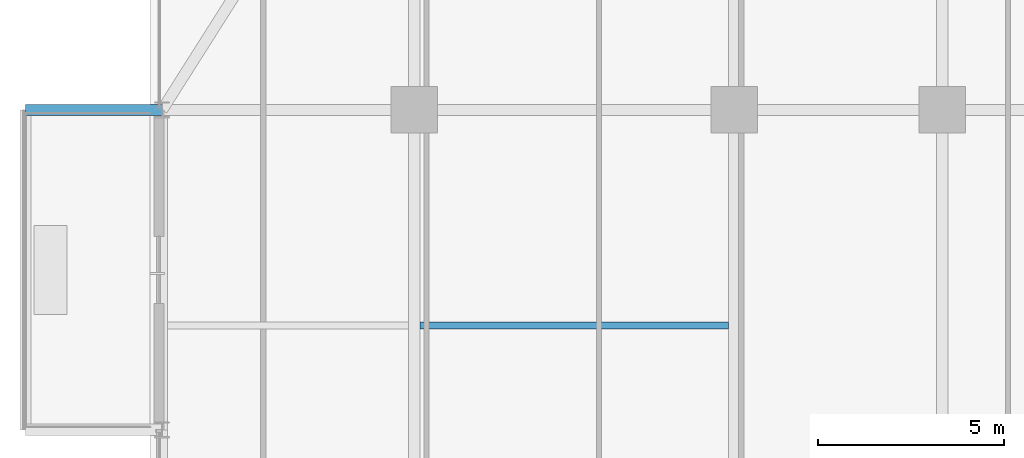
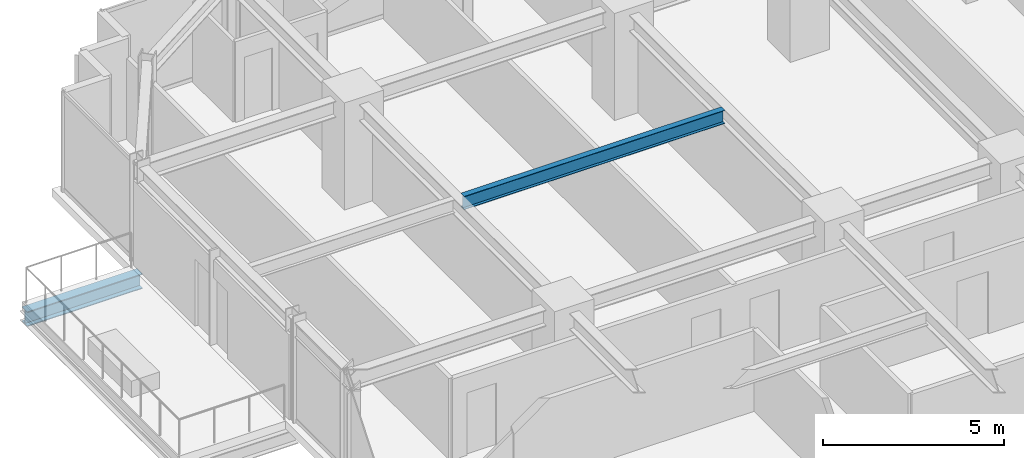
# One storey, part 17 of 40: 2 beams.
"""IFC4 building model written with IfcOpenShell, lengths in metres."""

from ifc_helpers import new_model, si_unit, direction, frame, origin, origin_2d, place, context, subcontext, project, spatial, i_section, extrude, source, transform, mapped, material, material_profile, profile_set, type_object, element, save


model = new_model("IFC4")

# Units and contexts
model_context = context("Model", 3, precision=1e-05, world=origin(), true_north=direction((0.0, 1.0)))
body_context = subcontext(model_context, "Body", "Model", "MODEL_VIEW")
ifc_project = project(units=[si_unit("LENGTHUNIT", "METRE"), si_unit("AREAUNIT", "SQUARE_METRE"), si_unit("VOLUMEUNIT", "CUBIC_METRE"), si_unit("PLANEANGLEUNIT", "RADIAN"), si_unit("MASSUNIT", "GRAM", prefix="KILO")], contexts=[model_context])

# Site, building, storey
site_placement = place(None, origin())
site = spatial("IfcSite", under=ifc_project, at=site_placement, CompositionType="ELEMENT")
building_placement = place(site_placement, origin())
building = spatial("IfcBuilding", under=site, at=building_placement, Name="Nahalor Promenade Grand Hotel", CompositionType="ELEMENT")
storey_placement = place(building_placement, frame((0.0, 0.0, 91.949951171875)))
storey = spatial("IfcBuildingStorey", under=building, at=storey_placement, Name="L22", CompositionType="ELEMENT", Elevation=91.949951171875)

# Beams
ifc_material = material(Name="Steel S355JR", Category="steel")
ifc_material_profile_1 = material_profile(ifc_material, i_section(OverallWidth=0.3, OverallDepth=0.5, WebThickness=0.0145, FlangeThickness=0.028, at=origin_2d()), Name="HEB 500")
ifc_profile_set_1 = profile_set([ifc_material_profile_1], Name="Steel S355JR")
beam_type_1 = type_object("IfcBeamType", Name="Beam-Outrigger-HEB500", PredefinedType="BEAM", material=ifc_profile_set_1)
shared_shape_1 = source(origin(), body_context, "Body", "SweptSolid", [
    extrude(i_section(OverallWidth=0.3, OverallDepth=0.5, WebThickness=0.0145, FlangeThickness=0.028, at=origin_2d()), origin(), (0.0, 0.0, 1.0), 3.669921875),
])
beam_1_placement = place(storey_placement, frame((-27.449951171875, 17.0, -0.530029296875), z_axis=(1.0, 0.0, 0.0), x_axis=(0.0, 1.0, 0.0)))
element("IfcBeam", 1, at=beam_1_placement, inside=storey, type_object=beam_type_1, Name="BM-L22-BC-02-2", PredefinedType="BEAM", context=body_context, shape_type="MappedRepresentation", body=[
    mapped(shared_shape_1, transform((0.0, 0.0, 0.0), scale=1.0)),
])
ifc_material_profile_2 = material_profile(ifc_material, i_section(OverallWidth=0.19, OverallDepth=0.45, WebThickness=0.0094, FlangeThickness=0.0146, at=origin_2d()), Name="IPE 450")
ifc_profile_set_2 = profile_set([ifc_material_profile_2], Name="Steel S355JR")
beam_type_2 = type_object("IfcBeamType", Name="Beam-Joist-IPE450", PredefinedType="JOIST", material=ifc_profile_set_2)
shared_shape_2 = source(origin(), body_context, "Body", "SweptSolid", [
    extrude(i_section(OverallWidth=0.19, OverallDepth=0.45, WebThickness=0.0094, FlangeThickness=0.0146, at=origin_2d()), origin(), (0.0, 0.0, 1.0), 8.300048828125),
])
beam_2_placement = place(storey_placement, frame((-16.85009765625, 11.199951171875, 3.155029296875), z_axis=(1.0, 0.0, 0.0), x_axis=(0.0, 1.0, 0.0)))
element("IfcBeam", 2, at=beam_2_placement, inside=storey, type_object=beam_type_2, Name="BM-L22-JSW-1-1", PredefinedType="JOIST", context=body_context, shape_type="MappedRepresentation", body=[
    mapped(shared_shape_2, transform((0.0, 0.0, 0.0), scale=1.0)),
])

save(model, "model.ifc")
